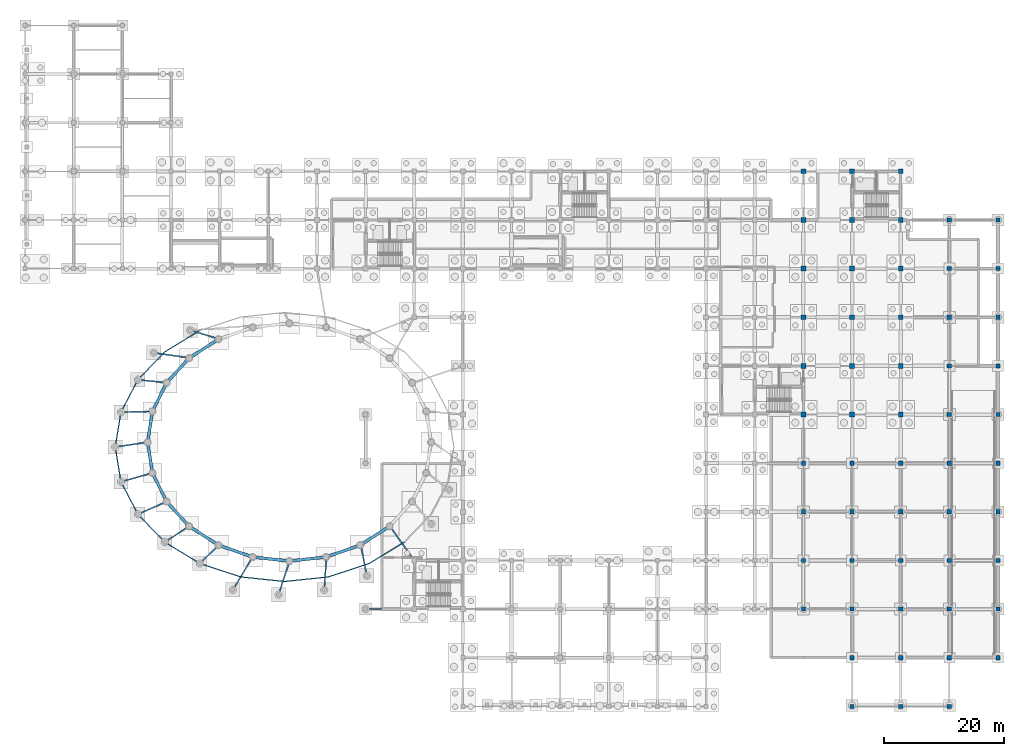
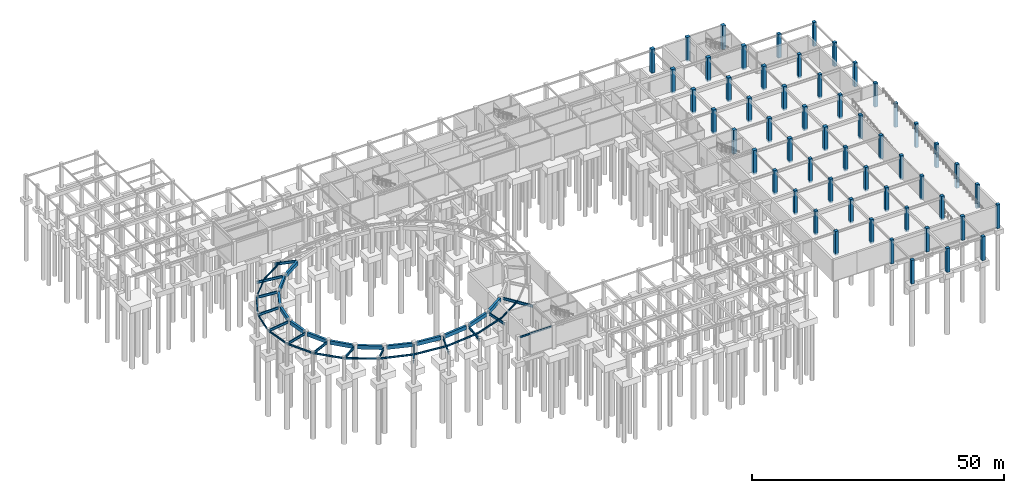
# One storey, part 10 of 26: 55 columns, 41 beams.
"""IFC4 building model written with IfcOpenShell, lengths in metres."""

from ifc_helpers import new_model, si_unit, direction, frame, origin, origin_2d, place, context, subcontext, project, spatial, rectangle, i_section, extrude, material, material_profile, profile_set, type_object, element, save


model = new_model("IFC4")

# Units and contexts
model_context = context("Model", 3, precision=1e-05, world=origin(), true_north=direction((0.0, 1.0)))
body_context = subcontext(model_context, "Body", "Model", "MODEL_VIEW")
ifc_project = project(units=[si_unit("LENGTHUNIT", "METRE"), si_unit("AREAUNIT", "SQUARE_METRE"), si_unit("VOLUMEUNIT", "CUBIC_METRE"), si_unit("PLANEANGLEUNIT", "RADIAN"), si_unit("MASSUNIT", "GRAM", prefix="KILO")], contexts=[model_context])

# Site, building, storey
site_placement = place(None, origin())
site = spatial("IfcSite", under=ifc_project, at=site_placement, CompositionType="ELEMENT")
building_placement = place(site_placement, origin())
building = spatial("IfcBuilding", under=site, at=building_placement, Name="Parian Resonance Hall", CompositionType="ELEMENT")
storey_placement = place(building_placement, frame((0.0, 0.0, -5.39990234375)))
storey = spatial("IfcBuildingStorey", under=building, at=storey_placement, Name="B1", CompositionType="ELEMENT", Elevation=-5.39990234375)

# Columns
ifc_material_1 = material(Name="Concrete C40/50", Category="concrete")
ifc_material_profile_1 = material_profile(ifc_material_1, rectangle(XDim=0.699951171875, YDim=0.699951171875, at=origin_2d()), Name="RC-COL-700x700")
ifc_profile_set_1 = profile_set([ifc_material_profile_1], Name="Concrete C40/50")
column_type_1 = type_object("IfcColumnType", Name="COL-RC700", PredefinedType="COLUMN", material=ifc_profile_set_1)
for number, where, z_axis, x_axis, name in (
    (1, (129.60009765625, 16.199951171875, -0.400146484375), (0.0, 0.0, 1.0), (1.0, 0.0, 0.0), "Column G17-03 B1"),
    (2, (129.60009765625, 24.300048828125, -0.400146484375), (0.0, 0.0, 1.0), (1.0, 0.0, 0.0), "Column G17-04 B1"),
    (3, (129.60009765625, 32.39990234375, -0.400146484375), (0.0, 0.0, 1.0), (1.0, 0.0, 0.0), "Column G17-05 B1"),
    (4, (129.60009765625, 40.5, -0.400146484375), (0.0, 0.0, 1.0), (1.0, 0.0, 0.0), "Column G17-06 B1"),
    (5, (137.699951171875, 0.0, -0.400146484375), (0.0, 0.0, 1.0), (1.0, 0.0, 0.0), "Column G18-01 B1"),
    (6, (137.699951171875, 8.10009765625, -0.400146484375), (0.0, 0.0, 1.0), (1.0, 0.0, 0.0), "Column G18-02 B1"),
    (7, (137.699951171875, 16.199951171875, -0.400146484375), (0.0, 0.0, 1.0), (1.0, 0.0, 0.0), "Column G18-03 B1"),
    (8, (137.699951171875, 24.300048828125, -0.400146484375), (0.0, 0.0, 1.0), (1.0, 0.0, 0.0), "Column G18-04 B1"),
    (9, (137.699951171875, 32.39990234375, -0.400146484375), (0.0, 0.0, 1.0), (1.0, 0.0, 0.0), "Column G18-05 B1"),
    (10, (137.699951171875, 40.5, -0.400146484375), (0.0, 0.0, 1.0), (1.0, 0.0, 0.0), "Column G18-06 B1"),
    (11, (145.800048828125, 0.0, -0.400146484375), (0.0, 0.0, 1.0), (1.0, 0.0, 0.0), "Column G19-01 B1"),
    (12, (145.800048828125, 8.10009765625, -0.400146484375), (0.0, 0.0, 1.0), (1.0, 0.0, 0.0), "Column G19-02 B1"),
    (13, (145.800048828125, 16.199951171875, -0.400146484375), (0.0, 0.0, 1.0), (1.0, 0.0, 0.0), "Column G19-03 B1"),
    (14, (145.800048828125, 24.300048828125, -0.400146484375), (0.0, 0.0, 1.0), (1.0, 0.0, 0.0), "Column G19-04 B1"),
    (15, (145.800048828125, 32.39990234375, -0.400146484375), (0.0, 0.0, 1.0), (1.0, 0.0, 0.0), "Column G19-05 B1"),
    (16, (145.800048828125, 40.5, -0.400146484375), (0.0, 0.0, 1.0), (1.0, 0.0, 0.0), "Column G19-06 B1"),
    (17, (153.89990234375, 0.0, -0.400146484375), (0.0, 0.0, 1.0), (1.0, 0.0, 0.0), "Column G20-01 B1"),
    (18, (153.89990234375, 8.10009765625, -0.400146484375), (0.0, 0.0, 1.0), (1.0, 0.0, 0.0), "Column G20-02 B1"),
    (19, (153.89990234375, 16.199951171875, -0.400146484375), (0.0, 0.0, 1.0), (1.0, 0.0, 0.0), "Column G20-03 B1"),
    (20, (153.89990234375, 24.300048828125, -0.400146484375), (0.0, 0.0, 1.0), (1.0, 0.0, 0.0), "Column G20-04 B1"),
    (21, (153.89990234375, 32.39990234375, -0.400146484375), (0.0, 0.0, 1.0), (1.0, 0.0, 0.0), "Column G20-05 B1"),
    (22, (153.89990234375, 40.5, -0.400146484375), (0.0, 0.0, 1.0), (1.0, 0.0, 0.0), "Column G20-06 B1"),
    (23, (153.89990234375, 48.60009765625, -0.400146484375), (0.0, 0.0, 1.0), (1.0, 0.0, 0.0), "Column G20-07 B1"),
    (24, (153.89990234375, 56.699951171875, -0.400146484375), (0.0, 0.0, 1.0), (1.0, 0.0, 0.0), "Column G20-08 B1"),
    (25, (153.89990234375, 64.800048828125, -0.400146484375), (0.0, 0.0, 1.0), (1.0, 0.0, 0.0), "Column G20-09 B1"),
    (26, (153.89990234375, 72.89990234375, -0.400146484375), (0.0, 0.0, 1.0), (1.0, 0.0, 0.0), "Column G20-10 B1"),
    (27, (153.89990234375, 81.0, -0.400146484375), (0.0, 0.0, 1.0), (1.0, 0.0, 0.0), "Column G20-11 B1"),
    (28, (162.0, 8.10009765625, -0.400146484375), (0.0, 0.0, 1.0), (1.0, 0.0, 0.0), "Column G21-02 B1"),
    (29, (162.0, 16.199951171875, -0.400146484375), (0.0, 0.0, 1.0), (1.0, 0.0, 0.0), "Column G21-03 B1"),
    (30, (162.0, 24.300048828125, -0.400146484375), (0.0, 0.0, 1.0), (1.0, 0.0, 0.0), "Column G21-04 B1"),
    (31, (162.0, 32.39990234375, -0.400146484375), (0.0, 0.0, 1.0), (1.0, 0.0, 0.0), "Column G21-05 B1"),
    (32, (162.0, 40.5, -0.400146484375), (0.0, 0.0, 1.0), (1.0, 0.0, 0.0), "Column G21-06 B1"),
    (33, (162.0, 48.60009765625, -0.400146484375), (0.0, 0.0, 1.0), (1.0, 0.0, 0.0), "Column G21-07 B1"),
    (34, (162.0, 56.699951171875, -0.400146484375), (0.0, 0.0, 1.0), (1.0, 0.0, 0.0), "Column G21-08 B1"),
    (35, (162.0, 64.800048828125, -0.400146484375), (0.0, 0.0, 1.0), (1.0, 0.0, 0.0), "Column G21-09 B1"),
    (36, (162.0, 72.89990234375, -0.400146484375), (0.0, 0.0, 1.0), (1.0, 0.0, 0.0), "Column G21-10 B1"),
    (37, (162.0, 81.0, -0.400146484375), (0.0, 0.0, 1.0), (1.0, 0.0, 0.0), "Column G21-11 B1"),
):
    element("IfcColumn", number, at=place(storey_placement, frame(where, z_axis=z_axis, x_axis=x_axis)), inside=storey, type_object=column_type_1, Name=name, PredefinedType="COLUMN", context=body_context, shape_type="SweptSolid", body=[
        extrude(rectangle(XDim=0.699951171875, YDim=0.699951171875, at=origin_2d()), origin(), (0.0, 0.0, 1.0), 5.800048828125),
    ])
ifc_material_2 = material(Name="Concrete C40/50", Category="concrete")
ifc_material_profile_2 = material_profile(ifc_material_2, rectangle(XDim=0.800048828125, YDim=0.800048828125, at=origin_2d()), Name="RC-COL-800x800")
ifc_profile_set_2 = profile_set([ifc_material_profile_2], Name="Concrete C40/50")
column_type_2 = type_object("IfcColumnType", Name="COL-RC800", PredefinedType="COLUMN", material=ifc_profile_set_2)
for number, where, z_axis, x_axis, name in (
    (38, (129.60009765625, 48.60009765625, -0.400146484375), (0.0, 0.0, 1.0), (1.0, 0.0, 0.0), "Column G17-07 B1"),
    (39, (129.60009765625, 56.699951171875, -0.400146484375), (0.0, 0.0, 1.0), (1.0, 0.0, 0.0), "Column G17-08 B1"),
    (40, (129.60009765625, 64.800048828125, -0.400146484375), (0.0, 0.0, 1.0), (1.0, 0.0, 0.0), "Column G17-09 B1"),
    (41, (129.60009765625, 72.89990234375, -0.400146484375), (0.0, 0.0, 1.0), (1.0, 0.0, 0.0), "Column G17-10 B1"),
    (42, (129.60009765625, 81.0, -0.400146484375), (0.0, 0.0, 1.0), (1.0, 0.0, 0.0), "Column G17-11 B1"),
    (43, (129.60009765625, 89.10009765625, -0.400146484375), (0.0, 0.0, 1.0), (1.0, 0.0, 0.0), "Column G17-12 B1"),
    (44, (137.699951171875, 48.60009765625, -0.400146484375), (0.0, 0.0, 1.0), (1.0, 0.0, 0.0), "Column G18-07 B1"),
    (45, (137.699951171875, 56.699951171875, -0.400146484375), (0.0, 0.0, 1.0), (1.0, 0.0, 0.0), "Column G18-08 B1"),
    (46, (137.699951171875, 64.800048828125, -0.400146484375), (0.0, 0.0, 1.0), (1.0, 0.0, 0.0), "Column G18-09 B1"),
    (47, (137.699951171875, 72.89990234375, -0.400146484375), (0.0, 0.0, 1.0), (1.0, 0.0, 0.0), "Column G18-10 B1"),
    (48, (137.699951171875, 81.0, -0.400146484375), (0.0, 0.0, 1.0), (1.0, 0.0, 0.0), "Column G18-11 B1"),
    (49, (137.699951171875, 89.10009765625, -0.400146484375), (0.0, 0.0, 1.0), (1.0, 0.0, 0.0), "Column G18-12 B1"),
    (50, (145.800048828125, 48.60009765625, -0.400146484375), (0.0, 0.0, 1.0), (1.0, 0.0, 0.0), "Column G19-07 B1"),
    (51, (145.800048828125, 56.699951171875, -0.400146484375), (0.0, 0.0, 1.0), (1.0, 0.0, 0.0), "Column G19-08 B1"),
    (52, (145.800048828125, 64.800048828125, -0.400146484375), (0.0, 0.0, 1.0), (1.0, 0.0, 0.0), "Column G19-09 B1"),
    (53, (145.800048828125, 72.89990234375, -0.400146484375), (0.0, 0.0, 1.0), (1.0, 0.0, 0.0), "Column G19-10 B1"),
    (54, (145.800048828125, 81.0, -0.400146484375), (0.0, 0.0, 1.0), (1.0, 0.0, 0.0), "Column G19-11 B1"),
    (55, (145.800048828125, 89.10009765625, -0.400146484375), (0.0, 0.0, 1.0), (1.0, 0.0, 0.0), "Column G19-12 B1"),
):
    element("IfcColumn", number, at=place(storey_placement, frame(where, z_axis=z_axis, x_axis=x_axis)), inside=storey, type_object=column_type_2, Name=name, PredefinedType="COLUMN", context=body_context, shape_type="SweptSolid", body=[
        extrude(rectangle(XDim=0.800048828125, YDim=0.800048828125, at=origin_2d()), origin(), (0.0, 0.0, 1.0), 5.800048828125),
    ])

# Beams
ifc_material_3 = material(Name="Concrete C40/50", Category="concrete")
ifc_material_profile_3 = material_profile(ifc_material_3, rectangle(XDim=0.5, YDim=0.89990234375, at=origin_2d()), Name="RC-BM-500x900")
ifc_profile_set_3 = profile_set([ifc_material_profile_3], Name="Concrete C40/50")
beam_type_1 = type_object("IfcBeamType", Name="BM-RC500x900", PredefinedType="USERDEFINED", material=ifc_profile_set_3)
beam_1_placement = place(storey_placement, frame((31.86376953125, 60.930908203125, 4.679931640625), z_axis=(-0.840822266108, -0.541311293819, 0.0), x_axis=(0.541311293819, -0.840822266108, 0.0)))
element("IfcBeam", 56, at=beam_1_placement, inside=storey, type_object=beam_type_1, Name="Concert hall drum ring beam B1-09", ObjectType="GIRDER", PredefinedType="USERDEFINED", context=body_context, shape_type="SweptSolid", body=[
    extrude(rectangle(XDim=0.5, YDim=0.89990234375, at=origin_2d()), origin(), (0.0, 0.0, 1.0), 5.012939453125),
])
beam_2_placement = place(storey_placement, frame((27.042236328125, 57.70556640625, 4.679931640625), z_axis=(-0.674892190981, -0.737916343872, 0.0), x_axis=(0.737916343872, -0.674892190981, 0.0)))
element("IfcBeam", 57, at=beam_2_placement, inside=storey, type_object=beam_type_1, Name="Concert hall drum ring beam B1-10", ObjectType="GIRDER", PredefinedType="USERDEFINED", context=body_context, shape_type="SweptSolid", body=[
    extrude(rectangle(XDim=0.5, YDim=0.89990234375, at=origin_2d()), origin(), (0.0, 0.0, 1.0), 4.757080078125),
])
beam_3_placement = place(storey_placement, frame((23.384765625, 53.541259765625, 4.679931640625), z_axis=(-0.442697851544, -0.896670849441, 0.0), x_axis=(0.896670849441, -0.442697851544, 0.0)))
element("IfcBeam", 58, at=beam_3_placement, inside=storey, type_object=beam_type_1, Name="Concert hall drum ring beam B1-11", ObjectType="GIRDER", PredefinedType="USERDEFINED", context=body_context, shape_type="SweptSolid", body=[
    extrude(rectangle(XDim=0.5, YDim=0.89990234375, at=origin_2d()), origin(), (0.0, 0.0, 1.0), 4.525390625),
])
for number, where, z_axis, x_axis, name in (
    (59, (21.14208984375, 48.7294921875, 4.679931640625), (-0.155033793728, -0.987909167283, 0.0), (0.987909167283, -0.155033793728, 0.0), "Concert hall drum ring beam B1-12"),
    (60, (20.4619140625, 43.604736328125, 4.679931640625), (0.155033793728, -0.987909167283, 0.0), (0.987909167283, 0.155033793728, 0.0), "Concert hall drum ring beam B1-13"),
):
    element("IfcBeam", number, at=place(storey_placement, frame(where, z_axis=z_axis, x_axis=x_axis)), inside=storey, type_object=beam_type_1, Name=name, ObjectType="GIRDER", PredefinedType="USERDEFINED", context=body_context, shape_type="SweptSolid", body=[
        extrude(rectangle(XDim=0.5, YDim=0.89990234375, at=origin_2d()), origin(), (0.0, 0.0, 1.0), 4.38720703125),
    ])
beam_4_placement = place(storey_placement, frame((21.38134765625, 38.5166015625, 4.679931640625), z_axis=(0.442697851544, -0.896670849441, 0.0), x_axis=(0.896670849441, 0.442697851544, 0.0)))
element("IfcBeam", 61, at=beam_4_placement, inside=storey, type_object=beam_type_1, Name="Concert hall drum ring beam B1-14", ObjectType="GIRDER", PredefinedType="USERDEFINED", context=body_context, shape_type="SweptSolid", body=[
    extrude(rectangle(XDim=0.5, YDim=0.89990234375, at=origin_2d()), origin(), (0.0, 0.0, 1.0), 4.525390625),
])
beam_5_placement = place(storey_placement, frame((23.831787109375, 33.8046875, 4.679931640625), z_axis=(0.674892190981, -0.737916343872, 0.0), x_axis=(0.737916343872, 0.674892190981, 0.0)))
element("IfcBeam", 62, at=beam_5_placement, inside=storey, type_object=beam_type_1, Name="Concert hall drum ring beam B1-15", ObjectType="GIRDER", PredefinedType="USERDEFINED", context=body_context, shape_type="SweptSolid", body=[
    extrude(rectangle(XDim=0.5, YDim=0.89990234375, at=origin_2d()), origin(), (0.0, 0.0, 1.0), 4.757080078125),
])
beam_6_placement = place(storey_placement, frame((27.648681640625, 29.78271484375, 4.679931640625), z_axis=(0.840822266108, -0.541311293819, 0.0), x_axis=(0.541311293819, 0.840822266108, 0.0)))
element("IfcBeam", 63, at=beam_6_placement, inside=storey, type_object=beam_type_1, Name="Concert hall drum ring beam B1-16", ObjectType="GIRDER", PredefinedType="USERDEFINED", context=body_context, shape_type="SweptSolid", body=[
    extrude(rectangle(XDim=0.5, YDim=0.89990234375, at=origin_2d()), origin(), (0.0, 0.0, 1.0), 5.012939453125),
])
beam_7_placement = place(storey_placement, frame((32.577880859375, 26.721435546875, 4.679931640625), z_axis=(0.944593815742, -0.328241562362, 0.0), x_axis=(0.328241562362, 0.944593815742, 0.0)))
element("IfcBeam", 64, at=beam_7_placement, inside=storey, type_object=beam_type_1, Name="Concert hall drum ring beam B1-17", ObjectType="GIRDER", PredefinedType="USERDEFINED", context=body_context, shape_type="SweptSolid", body=[
    extrude(rectangle(XDim=0.5, YDim=0.89990234375, at=origin_2d()), origin(), (0.0, 0.0, 1.0), 5.225830078125),
])
for number, where, z_axis, x_axis, name in (
    (65, (38.28955078125, 24.830810546875, 4.679931640625), (0.993953165009, -0.109804853117, 0.0), (0.109804853117, 0.993953165009, 0.0), "Concert hall drum ring beam B1-18"),
    (66, (44.397705078125, 24.243896484375, 4.679931640625), (0.993953165009, 0.109804853117, 0.0), (-0.109804853117, 0.993953165009, 0.0), "Concert hall drum ring beam B1-19"),
):
    element("IfcBeam", number, at=place(storey_placement, frame(where, z_axis=z_axis, x_axis=x_axis)), inside=storey, type_object=beam_type_1, Name=name, ObjectType="GIRDER", PredefinedType="USERDEFINED", context=body_context, shape_type="SweptSolid", body=[
        extrude(rectangle(XDim=0.5, YDim=0.89990234375, at=origin_2d()), origin(), (0.0, 0.0, 1.0), 5.344970703125),
    ])
beam_8_placement = place(storey_placement, frame((50.48583984375, 25.006103515625, 4.679931640625), z_axis=(0.944593815742, 0.328241562362, 0.0), x_axis=(-0.328241562362, 0.944593815742, 0.0)))
element("IfcBeam", 67, at=beam_8_placement, inside=storey, type_object=beam_type_1, Name="Concert hall drum ring beam B1-20", ObjectType="GIRDER", PredefinedType="USERDEFINED", context=body_context, shape_type="SweptSolid", body=[
    extrude(rectangle(XDim=0.5, YDim=0.89990234375, at=origin_2d()), origin(), (0.0, 0.0, 1.0), 5.225830078125),
])
beam_9_placement = place(storey_placement, frame((56.13623046875, 27.069091796875, 4.679931640625), z_axis=(0.840822266108, 0.541311293819, 0.0), x_axis=(-0.541311293819, 0.840822266108, 0.0)))
element("IfcBeam", 68, at=beam_9_placement, inside=storey, type_object=beam_type_1, Name="Concert hall drum ring beam B1-21", ObjectType="GIRDER", PredefinedType="USERDEFINED", context=body_context, shape_type="SweptSolid", body=[
    extrude(rectangle(XDim=0.5, YDim=0.89990234375, at=origin_2d()), origin(), (0.0, 0.0, 1.0), 5.012939453125),
])
ifc_material_4 = material(Name="Steel S355", Category="steel")
ifc_material_profile_4 = material_profile(ifc_material_4, i_section(OverallWidth=0.180908203125, OverallDepth=0.4169921875, WebThickness=0.010986328125, FlangeThickness=0.018310546875, FilletRadius=0.01513671875, at=origin_2d()), Name="W410x85")
ifc_profile_set_4 = profile_set([ifc_material_profile_4], Name="Steel S355")
beam_type_2 = type_object("IfcBeamType", Name="BM-W410x85", PredefinedType="SPANDREL", material=ifc_profile_set_4)
beam_10_placement = place(storey_placement, frame((57.050048828125, 16.199951171875, 4.891357421875), z_axis=(1.0, 0.0, 0.0), x_axis=(0.0, 1.0, 0.0)))
element("IfcBeam", 69, at=beam_10_placement, inside=storey, type_object=beam_type_2, Name="GX-B1-0030", PredefinedType="SPANDREL", context=body_context, shape_type="SweptSolid", body=[
    extrude(i_section(OverallWidth=0.180908203125, OverallDepth=0.4169921875, WebThickness=0.010986328125, FlangeThickness=0.018310546875, FilletRadius=0.01513671875, at=origin_2d()), origin(), (0.0, 0.0, 1.0), 7.349853515625),
])
beam_11_placement = place(storey_placement, frame((29.10009765625, 62.59912109375, 4.871337890625), z_axis=(-0.853894449138, -0.520446221748, 0.0), x_axis=(0.520446221748, -0.853894449138, 0.0)))
element("IfcBeam", 70, at=beam_11_placement, inside=storey, type_object=beam_type_2, Name="Elliptical BASE perimeter spandrel beam 09", PredefinedType="SPANDREL", context=body_context, shape_type="SweptSolid", body=[
    extrude(i_section(OverallWidth=0.180908203125, OverallDepth=0.4169921875, WebThickness=0.010986328125, FlangeThickness=0.018310546875, FilletRadius=0.01513671875, at=origin_2d()), origin(), (0.0, 0.0, 1.0), 6.83984375),
])
beam_12_placement = place(storey_placement, frame((23.259521484375, 59.039306640625, 4.871337890625), z_axis=(-0.694756606327, -0.719244922098, 0.0), x_axis=(0.719244922098, -0.694756606327, 0.0)))
element("IfcBeam", 71, at=beam_12_placement, inside=storey, type_object=beam_type_2, Name="Elliptical BASE perimeter spandrel beam 10", PredefinedType="SPANDREL", context=body_context, shape_type="SweptSolid", body=[
    extrude(i_section(OverallWidth=0.180908203125, OverallDepth=0.4169921875, WebThickness=0.010986328125, FlangeThickness=0.018310546875, FilletRadius=0.01513671875, at=origin_2d()), origin(), (0.0, 0.0, 1.0), 6.450439453125),
])
beam_13_placement = place(storey_placement, frame((18.778076171875, 54.39990234375, 4.871337890625), z_axis=(-0.46237564539, -0.88668413911, 0.0), x_axis=(0.88668413911, -0.46237564539, 0.0)))
element("IfcBeam", 72, at=beam_13_placement, inside=storey, type_object=beam_type_2, Name="Elliptical BASE perimeter spandrel beam 11", PredefinedType="SPANDREL", context=body_context, shape_type="SweptSolid", body=[
    extrude(i_section(OverallWidth=0.180908203125, OverallDepth=0.4169921875, WebThickness=0.010986328125, FlangeThickness=0.018310546875, FilletRadius=0.01513671875, at=origin_2d()), origin(), (0.0, 0.0, 1.0), 6.0927734375),
])
beam_14_placement = place(storey_placement, frame((15.9609375, 48.99755859375, 4.871337890625), z_axis=(-0.163516396459, -0.986540616543, 0.0), x_axis=(0.986540616543, -0.163516396459, 0.0)))
element("IfcBeam", 73, at=beam_14_placement, inside=storey, type_object=beam_type_2, Name="Elliptical BASE perimeter spandrel beam 12", PredefinedType="SPANDREL", context=body_context, shape_type="SweptSolid", body=[
    extrude(i_section(OverallWidth=0.180908203125, OverallDepth=0.4169921875, WebThickness=0.010986328125, FlangeThickness=0.018310546875, FilletRadius=0.01513671875, at=origin_2d()), origin(), (0.0, 0.0, 1.0), 5.876708984375),
])
beam_15_placement = place(storey_placement, frame((15.0, 43.199951171875, 4.871337890625), z_axis=(0.163523098392, -0.986539505693, 0.0), x_axis=(0.986539505693, 0.163523098392, 0.0)))
element("IfcBeam", 74, at=beam_15_placement, inside=storey, type_object=beam_type_2, Name="Elliptical BASE perimeter spandrel beam 13", PredefinedType="SPANDREL", context=body_context, shape_type="SweptSolid", body=[
    extrude(i_section(OverallWidth=0.180908203125, OverallDepth=0.4169921875, WebThickness=0.010986328125, FlangeThickness=0.018310546875, FilletRadius=0.01513671875, at=origin_2d()), origin(), (0.0, 0.0, 1.0), 5.87646484375),
])
beam_16_placement = place(storey_placement, frame((15.9609375, 37.402587890625, 4.871337890625), z_axis=(0.462359217669, -0.886692705415, 0.0), x_axis=(0.886692705415, 0.462359217669, 0.0)))
element("IfcBeam", 75, at=beam_16_placement, inside=storey, type_object=beam_type_2, Name="Elliptical BASE perimeter spandrel beam 14", PredefinedType="SPANDREL", context=body_context, shape_type="SweptSolid", body=[
    extrude(i_section(OverallWidth=0.180908203125, OverallDepth=0.4169921875, WebThickness=0.010986328125, FlangeThickness=0.018310546875, FilletRadius=0.01513671875, at=origin_2d()), origin(), (0.0, 0.0, 1.0), 6.093017578125),
])
beam_17_placement = place(storey_placement, frame((18.778076171875, 32.0, 4.871337890625), z_axis=(0.694775519763, -0.719226652132, 0.0), x_axis=(0.719226652132, 0.694775519763, 0.0)))
element("IfcBeam", 76, at=beam_17_placement, inside=storey, type_object=beam_type_2, Name="Elliptical BASE perimeter spandrel beam 15", PredefinedType="SPANDREL", context=body_context, shape_type="SweptSolid", body=[
    extrude(i_section(OverallWidth=0.180908203125, OverallDepth=0.4169921875, WebThickness=0.010986328125, FlangeThickness=0.018310546875, FilletRadius=0.01513671875, at=origin_2d()), origin(), (0.0, 0.0, 1.0), 6.4501953125),
])
beam_18_placement = place(storey_placement, frame((23.259521484375, 27.36083984375, 4.871337890625), z_axis=(0.853894449138, -0.520446221748, 0.0), x_axis=(0.520446221748, 0.853894449138, 0.0)))
element("IfcBeam", 77, at=beam_18_placement, inside=storey, type_object=beam_type_2, Name="Elliptical BASE perimeter spandrel beam 16", PredefinedType="SPANDREL", context=body_context, shape_type="SweptSolid", body=[
    extrude(i_section(OverallWidth=0.180908203125, OverallDepth=0.4169921875, WebThickness=0.010986328125, FlangeThickness=0.018310546875, FilletRadius=0.01513671875, at=origin_2d()), origin(), (0.0, 0.0, 1.0), 6.83984375),
])
beam_19_placement = place(storey_placement, frame((29.10009765625, 23.801025390625, 4.871337890625), z_axis=(0.949903680564, -0.312542793311, 0.0), x_axis=(0.312542793311, 0.949903680564, 0.0)))
element("IfcBeam", 78, at=beam_19_placement, inside=storey, type_object=beam_type_2, Name="Elliptical BASE perimeter spandrel beam 17", PredefinedType="SPANDREL", context=body_context, shape_type="SweptSolid", body=[
    extrude(i_section(OverallWidth=0.180908203125, OverallDepth=0.4169921875, WebThickness=0.010986328125, FlangeThickness=0.018310546875, FilletRadius=0.01513671875, at=origin_2d()), origin(), (0.0, 0.0, 1.0), 7.159912109375),
])
beam_20_placement = place(storey_placement, frame((35.9013671875, 21.563232421875, 4.871337890625), z_axis=(0.994577405683, -0.103998962039, 0.0), x_axis=(0.103998962039, 0.994577405683, 0.0)))
element("IfcBeam", 79, at=beam_20_placement, inside=storey, type_object=beam_type_2, Name="Elliptical BASE perimeter spandrel beam 18", PredefinedType="SPANDREL", context=body_context, shape_type="SweptSolid", body=[
    extrude(i_section(OverallWidth=0.180908203125, OverallDepth=0.4169921875, WebThickness=0.010986328125, FlangeThickness=0.018310546875, FilletRadius=0.01513671875, at=origin_2d()), origin(), (0.0, 0.0, 1.0), 7.33837890625),
])
beam_21_placement = place(storey_placement, frame((43.199951171875, 20.800048828125, 4.871337890625), z_axis=(0.994577765496, 0.103995520971, 0.0), x_axis=(-0.103995520971, 0.994577765496, 0.0)))
element("IfcBeam", 80, at=beam_21_placement, inside=storey, type_object=beam_type_2, Name="Elliptical BASE perimeter spandrel beam 19", PredefinedType="SPANDREL", context=body_context, shape_type="SweptSolid", body=[
    extrude(i_section(OverallWidth=0.180908203125, OverallDepth=0.4169921875, WebThickness=0.010986328125, FlangeThickness=0.018310546875, FilletRadius=0.01513671875, at=origin_2d()), origin(), (0.0, 0.0, 1.0), 7.338623046875),
])
beam_22_placement = place(storey_placement, frame((50.498779296875, 21.563232421875, 4.871337890625), z_axis=(0.949903680564, 0.312542793311, 0.0), x_axis=(-0.312542793311, 0.949903680564, 0.0)))
element("IfcBeam", 81, at=beam_22_placement, inside=storey, type_object=beam_type_2, Name="Elliptical BASE perimeter spandrel beam 20", PredefinedType="SPANDREL", context=body_context, shape_type="SweptSolid", body=[
    extrude(i_section(OverallWidth=0.180908203125, OverallDepth=0.4169921875, WebThickness=0.010986328125, FlangeThickness=0.018310546875, FilletRadius=0.01513671875, at=origin_2d()), origin(), (0.0, 0.0, 1.0), 7.159912109375),
])
beam_23_placement = place(storey_placement, frame((57.300048828125, 23.801025390625, 4.871337890625), z_axis=(0.853884780615, 0.520462084531, 0.0), x_axis=(-0.520462084531, 0.853884780615, 0.0)))
element("IfcBeam", 82, at=beam_23_placement, inside=storey, type_object=beam_type_2, Name="Elliptical BASE perimeter spandrel beam 21", PredefinedType="SPANDREL", context=body_context, shape_type="SweptSolid", body=[
    extrude(i_section(OverallWidth=0.180908203125, OverallDepth=0.4169921875, WebThickness=0.010986328125, FlangeThickness=0.018310546875, FilletRadius=0.01513671875, at=origin_2d()), origin(), (0.0, 0.0, 1.0), 6.839599609375),
])
ifc_material_5 = material(Name="Steel S355", Category="steel")
ifc_material_profile_5 = material_profile(ifc_material_5, i_section(OverallWidth=0.22998046875, OverallDepth=0.616943359375, WebThickness=0.01318359375, FlangeThickness=0.022216796875, FilletRadius=0.017822265625, at=origin_2d()), Name="W610x140")
ifc_profile_set_5 = profile_set([ifc_material_profile_5], Name="Steel S355")
beam_type_3 = type_object("IfcBeamType", Name="CG1 W610x140", PredefinedType="USERDEFINED", material=ifc_profile_set_5)
beam_24_placement = place(storey_placement, frame((31.837890625, 61.31689453125, 4.771484375), z_axis=(-0.956608653683, 0.291375846113, 0.0), x_axis=(-0.291375846113, -0.956608653683, 0.0)))
element("IfcBeam", 83, at=beam_24_placement, inside=storey, type_object=beam_type_3, Name="Radial spine girder BASE-09", ObjectType="GIRDER", PredefinedType="USERDEFINED", context=body_context, shape_type="SweptSolid", body=[
    extrude(i_section(OverallWidth=0.22998046875, OverallDepth=0.616943359375, WebThickness=0.01318359375, FlangeThickness=0.022216796875, FilletRadius=0.017822265625, at=origin_2d()), origin(), (0.0, 0.0, 1.0), 4.53466796875),
])
beam_25_placement = place(storey_placement, frame((26.9248046875, 58.10009765625, 4.771484375), z_axis=(-0.989951246953, 0.141409082654, 0.0), x_axis=(-0.141409082654, -0.989951246953, 0.0)))
element("IfcBeam", 84, at=beam_25_placement, inside=storey, type_object=beam_type_3, Name="Radial spine girder BASE-10", ObjectType="GIRDER", PredefinedType="USERDEFINED", context=body_context, shape_type="SweptSolid", body=[
    extrude(i_section(OverallWidth=0.22998046875, OverallDepth=0.616943359375, WebThickness=0.01318359375, FlangeThickness=0.022216796875, FilletRadius=0.017822265625, at=origin_2d()), origin(), (0.0, 0.0, 1.0), 5.569580078125),
])
beam_26_placement = place(storey_placement, frame((23.1640625, 53.941650390625, 4.771484375), z_axis=(-0.994586151251, 0.103915291172, 0.0), x_axis=(-0.103915291172, -0.994586151251, 0.0)))
element("IfcBeam", 85, at=beam_26_placement, inside=storey, type_object=beam_type_3, Name="Radial spine girder BASE-11", ObjectType="GIRDER", PredefinedType="USERDEFINED", context=body_context, shape_type="SweptSolid", body=[
    extrude(i_section(OverallWidth=0.22998046875, OverallDepth=0.616943359375, WebThickness=0.01318359375, FlangeThickness=0.022216796875, FilletRadius=0.017822265625, at=origin_2d()), origin(), (0.0, 0.0, 1.0), 4.409912109375),
])
beam_27_placement = place(storey_placement, frame((20.80419921875, 49.114990234375, 4.771484375), z_axis=(-0.999706185686, -0.024239271868, 0.0), x_axis=(0.024239271868, -0.999706185686, 0.0)))
element("IfcBeam", 86, at=beam_27_placement, inside=storey, type_object=beam_type_3, Name="Radial spine girder BASE-12", ObjectType="GIRDER", PredefinedType="USERDEFINED", context=body_context, shape_type="SweptSolid", body=[
    extrude(i_section(OverallWidth=0.22998046875, OverallDepth=0.616943359375, WebThickness=0.01318359375, FlangeThickness=0.022216796875, FilletRadius=0.017822265625, at=origin_2d()), origin(), (0.0, 0.0, 1.0), 4.8447265625),
])
beam_28_placement = place(storey_placement, frame((20.00439453125, 43.94140625, 4.771484375), z_axis=(-0.989201648538, -0.146560903825, 0.0), x_axis=(0.146560903825, -0.989201648538, 0.0)))
element("IfcBeam", 87, at=beam_28_placement, inside=storey, type_object=beam_type_3, Name="Radial spine girder BASE-13", ObjectType="GIRDER", PredefinedType="USERDEFINED", context=body_context, shape_type="SweptSolid", body=[
    extrude(i_section(OverallWidth=0.22998046875, OverallDepth=0.616943359375, WebThickness=0.01318359375, FlangeThickness=0.022216796875, FilletRadius=0.017822265625, at=origin_2d()), origin(), (0.0, 0.0, 1.0), 5.05908203125),
])
beam_29_placement = place(storey_placement, frame((20.819091796875, 38.76708984375, 4.771484375), z_axis=(-0.962746636226, -0.270405093214, 0.0), x_axis=(0.270405093214, -0.962746636226, 0.0)))
element("IfcBeam", 88, at=beam_29_placement, inside=storey, type_object=beam_type_3, Name="Radial spine girder BASE-14", ObjectType="GIRDER", PredefinedType="USERDEFINED", context=body_context, shape_type="SweptSolid", body=[
    extrude(i_section(OverallWidth=0.22998046875, OverallDepth=0.616943359375, WebThickness=0.01318359375, FlangeThickness=0.022216796875, FilletRadius=0.017822265625, at=origin_2d()), origin(), (0.0, 0.0, 1.0), 5.046142578125),
])
beam_30_placement = place(storey_placement, frame((23.195556640625, 33.939208984375, 4.771484375), z_axis=(-0.915657204816, -0.401960051832, 0.0), x_axis=(0.401960051832, -0.915657204816, 0.0)))
element("IfcBeam", 89, at=beam_30_placement, inside=storey, type_object=beam_type_3, Name="Radial spine girder BASE-15", ObjectType="GIRDER", PredefinedType="USERDEFINED", context=body_context, shape_type="SweptSolid", body=[
    extrude(i_section(OverallWidth=0.22998046875, OverallDepth=0.616943359375, WebThickness=0.01318359375, FlangeThickness=0.022216796875, FilletRadius=0.017822265625, at=origin_2d()), origin(), (0.0, 0.0, 1.0), 4.824462890625),
])
beam_31_placement = place(storey_placement, frame((26.97705078125, 29.781005859375, 4.771484375), z_axis=(-0.838054852539, -0.545585982349, 0.0), x_axis=(0.545585982349, -0.838054852539, 0.0)))
element("IfcBeam", 90, at=beam_31_placement, inside=storey, type_object=beam_type_3, Name="Radial spine girder BASE-16", ObjectType="GIRDER", PredefinedType="USERDEFINED", context=body_context, shape_type="SweptSolid", body=[
    extrude(i_section(OverallWidth=0.22998046875, OverallDepth=0.616943359375, WebThickness=0.01318359375, FlangeThickness=0.022216796875, FilletRadius=0.017822265625, at=origin_2d()), origin(), (0.0, 0.0, 1.0), 4.435791015625),
])
beam_32_placement = place(storey_placement, frame((31.914794921875, 26.572021484375, 4.771484375), z_axis=(-0.712617211164, -0.701553070233, 0.0), x_axis=(0.701553070233, -0.712617211164, 0.0)))
element("IfcBeam", 91, at=beam_32_placement, inside=storey, type_object=beam_type_3, Name="Radial spine girder BASE-17", ObjectType="GIRDER", PredefinedType="USERDEFINED", context=body_context, shape_type="SweptSolid", body=[
    extrude(i_section(OverallWidth=0.22998046875, OverallDepth=0.616943359375, WebThickness=0.01318359375, FlangeThickness=0.022216796875, FilletRadius=0.017822265625, at=origin_2d()), origin(), (0.0, 0.0, 1.0), 3.94970703125),
])
beam_33_placement = place(storey_placement, frame((37.685791015625, 24.531982421875, 4.771484375), z_axis=(-0.516747911957, -0.856137603127, 0.0), x_axis=(0.856137603127, -0.516747911957, 0.0)))
element("IfcBeam", 92, at=beam_33_placement, inside=storey, type_object=beam_type_3, Name="Radial spine girder BASE-18", ObjectType="GIRDER", PredefinedType="USERDEFINED", context=body_context, shape_type="SweptSolid", body=[
    extrude(i_section(OverallWidth=0.22998046875, OverallDepth=0.616943359375, WebThickness=0.01318359375, FlangeThickness=0.022216796875, FilletRadius=0.017822265625, at=origin_2d()), origin(), (0.0, 0.0, 1.0), 5.9892578125),
])
beam_34_placement = place(storey_placement, frame((43.908447265625, 23.810546875, 4.771484375), z_axis=(-0.311575712878, -0.950221329557, 0.0), x_axis=(0.950221329557, -0.311575712878, 0.0)))
element("IfcBeam", 93, at=beam_34_placement, inside=storey, type_object=beam_type_3, Name="Radial spine girder BASE-19", ObjectType="GIRDER", PredefinedType="USERDEFINED", context=body_context, shape_type="SweptSolid", body=[
    extrude(i_section(OverallWidth=0.22998046875, OverallDepth=0.616943359375, WebThickness=0.01318359375, FlangeThickness=0.022216796875, FilletRadius=0.017822265625, at=origin_2d()), origin(), (0.0, 0.0, 1.0), 5.4833984375),
])
beam_35_placement = place(storey_placement, frame((50.155029296875, 24.4775390625, 4.771484375), z_axis=(-0.067984787427, -0.997686357869, 0.0), x_axis=(0.997686357869, -0.067984787427, 0.0)))
element("IfcBeam", 94, at=beam_35_placement, inside=storey, type_object=beam_type_3, Name="Radial spine girder BASE-20", ObjectType="GIRDER", PredefinedType="USERDEFINED", context=body_context, shape_type="SweptSolid", body=[
    extrude(i_section(OverallWidth=0.22998046875, OverallDepth=0.616943359375, WebThickness=0.01318359375, FlangeThickness=0.022216796875, FilletRadius=0.017822265625, at=origin_2d()), origin(), (0.0, 0.0, 1.0), 5.0849609375),
])
beam_36_placement = place(storey_placement, frame((55.976318359375, 26.49365234375, 4.771484375), z_axis=(0.191566279346, -0.981479679167, 0.0), x_axis=(0.981479679167, 0.191566279346, 0.0)))
element("IfcBeam", 95, at=beam_36_placement, inside=storey, type_object=beam_type_3, Name="Radial spine girder BASE-21", ObjectType="GIRDER", PredefinedType="USERDEFINED", context=body_context, shape_type="SweptSolid", body=[
    extrude(i_section(OverallWidth=0.22998046875, OverallDepth=0.616943359375, WebThickness=0.01318359375, FlangeThickness=0.022216796875, FilletRadius=0.017822265625, at=origin_2d()), origin(), (0.0, 0.0, 1.0), 4.8212890625),
])
beam_37_placement = place(storey_placement, frame((60.9599609375, 29.706298828125, 4.771484375), z_axis=(0.57908737476, -0.815265485835, 0.0), x_axis=(0.815265485835, 0.57908737476, 0.0)))
element("IfcBeam", 96, at=beam_37_placement, inside=storey, type_object=beam_type_3, Name="Radial spine girder BASE-22", ObjectType="GIRDER", PredefinedType="USERDEFINED", context=body_context, shape_type="SweptSolid", body=[
    extrude(i_section(OverallWidth=0.22998046875, OverallDepth=0.616943359375, WebThickness=0.01318359375, FlangeThickness=0.022216796875, FilletRadius=0.017822265625, at=origin_2d()), origin(), (0.0, 0.0, 1.0), 6.63134765625),
])

save(model, "model.ifc")
